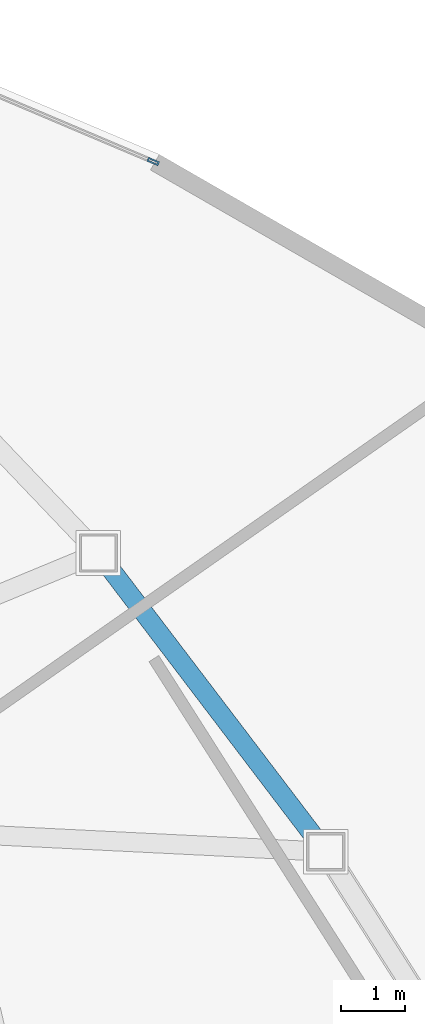
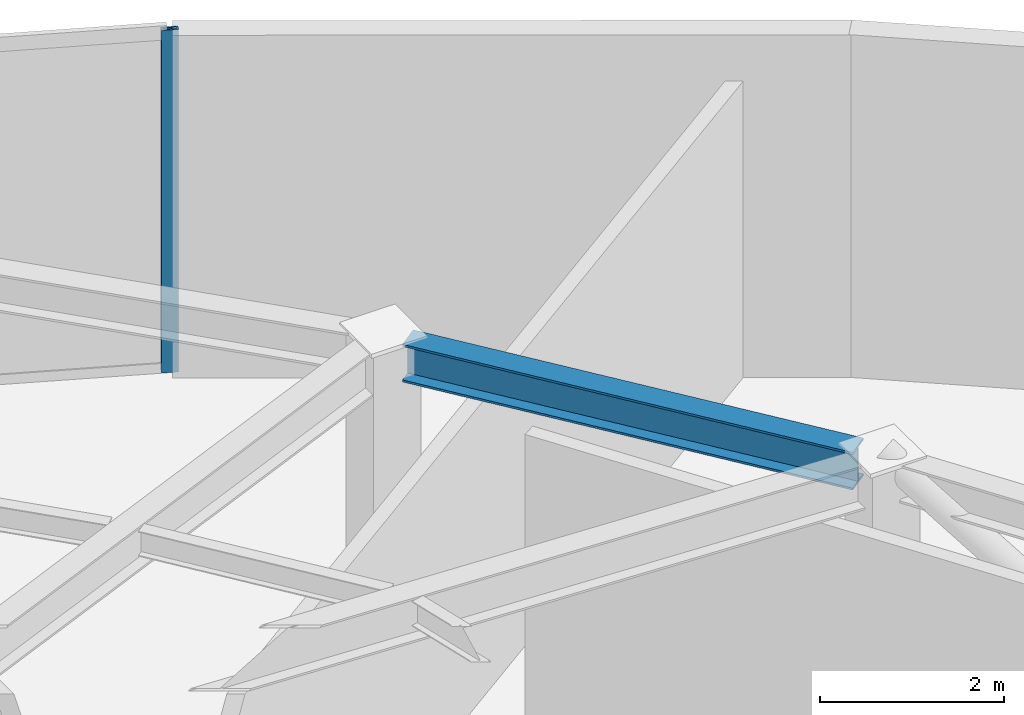
# One storey, part 9 of 17: 1 beam, 1 member, 1 element without a shape of its own.
"""IFC4 building model written with IfcOpenShell, lengths in metres."""

from ifc_helpers import new_model, si_unit, direction, frame, origin, origin_2d, place, context, subcontext, project, spatial, hollow_rectangle, i_section, extrude, source, transform, mapped, material, layer, layer_set, material_profile, profile_set, type_object, type_shapes, element, aggregate, save


model = new_model("IFC4")

# Units and contexts
model_context = context("Model", 3, precision=1e-05, world=origin(), true_north=direction((0.0, 1.0)))
body_context = subcontext(model_context, "Body", "Model", "MODEL_VIEW")
ifc_project = project(units=[si_unit("LENGTHUNIT", "METRE"), si_unit("AREAUNIT", "SQUARE_METRE"), si_unit("VOLUMEUNIT", "CUBIC_METRE"), si_unit("PLANEANGLEUNIT", "RADIAN"), si_unit("MASSUNIT", "GRAM", prefix="KILO")], contexts=[model_context])

# Site, building, storey
site_placement = place(None, origin())
site = spatial("IfcSite", under=ifc_project, at=site_placement, CompositionType="ELEMENT")
building_placement = place(site_placement, origin())
building = spatial("IfcBuilding", under=site, at=building_placement, Name="Tavelor Broadcast Tower", CompositionType="ELEMENT")
storey_placement = place(building_placement, frame((0.0, 0.0, 204.14990234375)))
storey = spatial("IfcBuildingStorey", under=building, at=storey_placement, Name="L49", CompositionType="ELEMENT", Elevation=204.14990234375)

# Beam
ifc_material_1 = material(Name="Steel S355", Category="steel")
ifc_material_profile_1 = material_profile(ifc_material_1, i_section(OverallWidth=0.300048828125, OverallDepth=0.5, WebThickness=0.014404296875, FlangeThickness=0.028076171875, at=origin_2d()), Name="HEB 500")
ifc_profile_set_1 = profile_set([ifc_material_profile_1], Name="Steel S355")
beam_type = type_object("IfcBeamType", Name="Perimeter Spandrel Beam T4 HEB 500", PredefinedType="SPANDREL", material=ifc_profile_set_1)
beam_placement = place(storey_placement, frame((69.711669921875, 50.7734375, 4.300048828125), z_axis=(-0.605502841959, 0.795843143075, 0.0), x_axis=(-0.795843143075, -0.605502841959, 0.0)))
element("IfcBeam", 1, at=beam_placement, inside=storey, type_object=beam_type, Name="L49 Framed-Tube Ring Spandrel 14", PredefinedType="SPANDREL", context=body_context, shape_type="SweptSolid", body=[
    extrude(i_section(OverallWidth=0.300048828125, OverallDepth=0.5, WebThickness=0.014404296875, FlangeThickness=0.028076171875, at=origin_2d()), origin(), (0.0, 0.0, 1.0), 5.310302734375),
])

# Curtain wall, member
ifc_material_2 = material(Name="Architectural Anodized Aluminium", Category="aluminium")
ifc_layer = layer(ifc_material_2, 0.18994140625)
ifc_layer_set = layer_set([ifc_layer], Name="Architectural Anodized Aluminium")
curtain_wall_type = type_object("IfcCurtainWallType", Name="Tower Mid-Zone Acoustic Curtain Wall CW03", PredefinedType="NOTDEFINED", material=ifc_layer_set)
curtain_wall_placement = place(storey_placement, origin())
curtain_wall = element("IfcCurtainWall", 2, at=curtain_wall_placement, inside=storey, type_object=curtain_wall_type, Name="L49 Curtain Wall CW03 Run 537", PredefinedType="NOTDEFINED")
ifc_material_profile_2 = material_profile(ifc_material_2, hollow_rectangle(XDim=0.068115234375, YDim=0.18994140625, WallThickness=0.02197265625, at=origin_2d()), Name="RHS 68x190x22")
ifc_profile_set_2 = profile_set([ifc_material_profile_2], Name="Architectural Anodized Aluminium")
member_type = type_object("IfcMemberType", Name="CW03 Extruded Aluminium Mullion 68x190", PredefinedType="MULLION", material=ifc_profile_set_2)
shared_shape = source(origin(), body_context, "Body", "SweptSolid", [
    extrude(hollow_rectangle(XDim=0.068115234375, YDim=0.18994140625, WallThickness=0.02197265625, at=origin_2d()), origin(), (0.0, 0.0, 1.0), 4.550048828125),
])
type_shapes(member_type, [shared_shape])
member_placement = place(storey_placement, frame((67.181396484375, 61.368896484375, 0.0), z_axis=(0.0, 0.0, 1.0), x_axis=(-0.390341831167, -0.920670003227, 0.0)))
member = element("IfcMember", 3, at=member_placement, type_object=member_type, Name="CW03 mullion 1", PredefinedType="MULLION", context=body_context, shape_type="MappedRepresentation", body=[
    mapped(shared_shape, transform((0.0, 0.0, 0.0), scale=1.0)),
])
aggregate(curtain_wall, [member])

save(model, "model.ifc")
